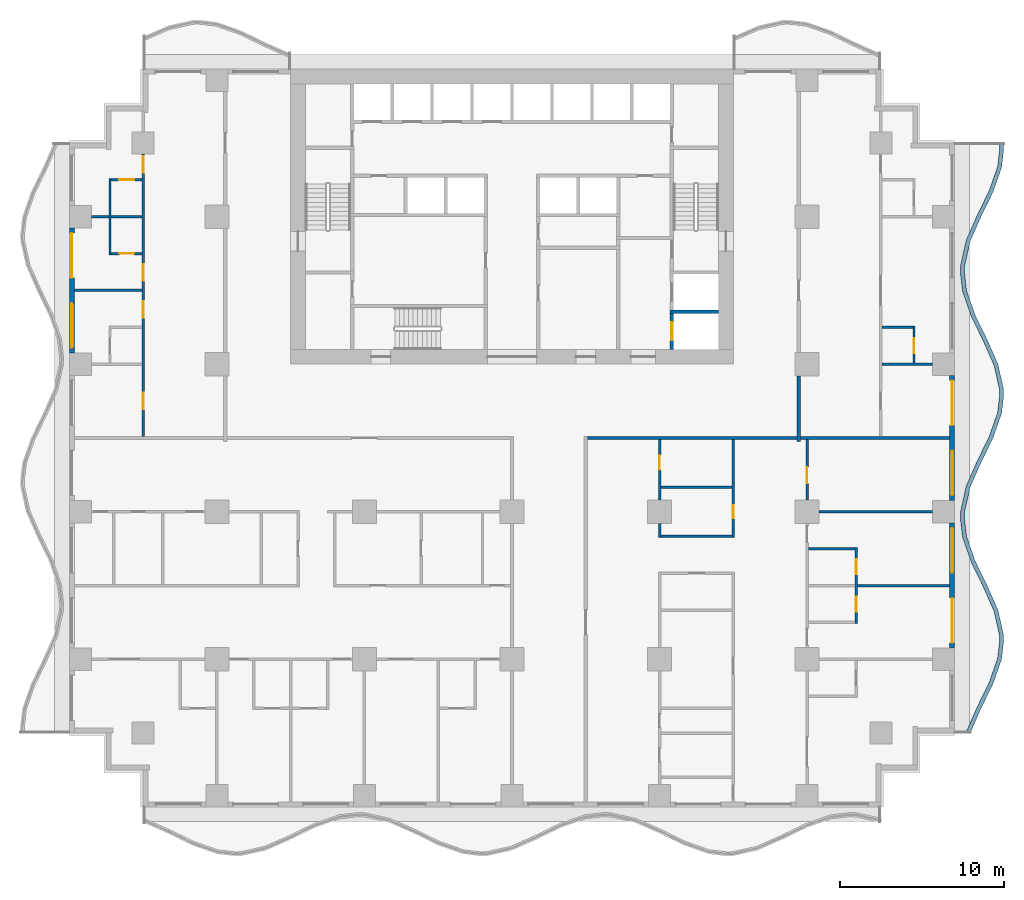
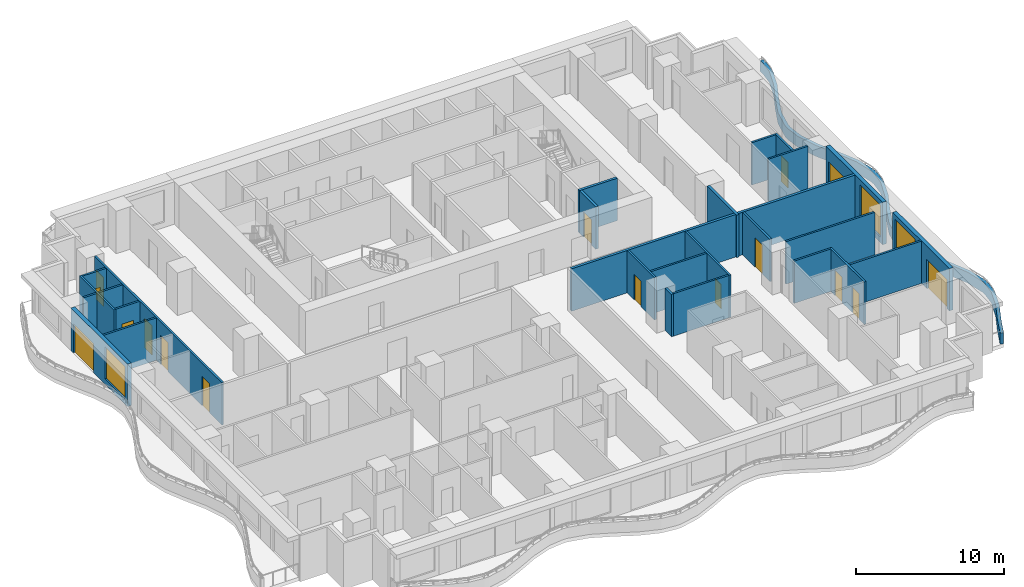
# One storey, part 4 of 14: 29 walls, 16 doors, 3 windows, 19 openings.
"""IFC4 building model written with IfcOpenShell, lengths in metres."""

from ifc_helpers import new_model, si_unit, direction, frame, frame_2d, origin, place, context, subcontext, project, spatial, polyline, rectangle, outline, extrude, material, layer, layer_set, type_object, element, fill, save


model = new_model("IFC4")

# Units and contexts
model_context = context("Model", 3, precision=1e-05, world=origin(), true_north=direction((0.0, 1.0)))
body_context = subcontext(model_context, "Body", "Model", "MODEL_VIEW")
ifc_project = project(units=[si_unit("LENGTHUNIT", "METRE"), si_unit("AREAUNIT", "SQUARE_METRE"), si_unit("VOLUMEUNIT", "CUBIC_METRE"), si_unit("PLANEANGLEUNIT", "RADIAN"), si_unit("MASSUNIT", "GRAM", prefix="KILO")], contexts=[model_context])

# Site, building, storey
site_placement = place(None, origin())
site = spatial("IfcSite", under=ifc_project, at=site_placement, CompositionType="ELEMENT")
building_placement = place(site_placement, origin())
building = spatial("IfcBuilding", under=site, at=building_placement, Name="Orbiselva Terraces", CompositionType="ELEMENT")
storey_placement = place(building_placement, frame((0.0, 0.0, 73.2)))
storey = spatial("IfcBuildingStorey", under=building, at=storey_placement, Name="L18", CompositionType="ELEMENT", Elevation=73.2)

# Wall, opening, door
ifc_material_1 = material(Name="Concrete C60/75", Category="concrete")
ifc_layer_1 = layer(ifc_material_1, 0.2)
ifc_layer_set_1 = layer_set([ifc_layer_1], Name="Concrete C60/75")
wall_type_1 = type_object("IfcWallType", Name="CORE-WALL-SHEAR-200", PredefinedType="SHEAR", material=ifc_layer_set_1)
wall_1_placement = place(storey_placement, frame((9.75, 5.4, 0.0), z_axis=(0.0, 0.0, 1.0), x_axis=(0.0, 1.0, 0.0)))
wall_1 = element("IfcWall", 1, at=wall_1_placement, inside=storey, type_object=wall_type_1, Name="L18 core wall 38", PredefinedType="SHEAR", context=body_context, shape_type="SweptSolid", body=[
    extrude(rectangle(XDim=2.2, YDim=0.2, at=frame_2d((1.1, 0.0))), origin(), (0.0, 0.0, 1.0), 3.5),
])
opening_1_placement = place(wall_1_placement, frame((0.55, 0.0, 0.0)))
opening_1 = element("IfcOpeningElement", 2, at=opening_1_placement, cuts=wall_1, Name="Opening LD-FF1", PredefinedType="OPENING", context=body_context, shape_type="SweptSolid", body=[
    extrude(rectangle(XDim=1.1, YDim=2.1, at=frame_2d((0.55, 1.05))), frame((0.0, 0.11, 0.0), z_axis=(0.0, -1.0, 0.0), x_axis=(1.0, 0.0, 0.0)), (0.0, 0.0, 1.0), 0.22),
])
ifc_material_2 = material(Name="Stainless steel landing door", Category="steel")
door_type_1 = type_object("IfcDoorType", Name="LANDING DOOR 1100", OperationType="SLIDING_TO_LEFT", PredefinedType="DOOR", material=ifc_material_2)
door_1_placement = place(opening_1_placement, origin())
door_1 = element("IfcDoor", 3, at=door_1_placement, inside=storey, type_object=door_type_1, Name="L18 landing door FF1", OperationType="SLIDING_TO_RIGHT", OverallHeight=2.1, OverallWidth=1.1, PredefinedType="DOOR", context=body_context, shape_type="SweptSolid", body=[
    extrude(rectangle(XDim=1.1, YDim=2.1, at=frame_2d((0.55, 1.05))), frame((0.0, 0.025, 0.0), z_axis=(0.0, -1.0, 0.0), x_axis=(1.0, 0.0, 0.0)), (0.0, 0.0, 1.0), 0.05),
])
fill(opening_1, door_1)

# Walls
wall_2_placement = place(storey_placement, frame((9.65, 7.7, 0.0), z_axis=(0.0, 0.0, 1.0), x_axis=(1.0, 0.0, 0.0)))
element("IfcWall", 4, at=wall_2_placement, inside=storey, type_object=wall_type_1, Name="L18 core wall 39", PredefinedType="SHEAR", context=body_context, shape_type="SweptSolid", body=[
    extrude(rectangle(XDim=2.95, YDim=0.2, at=frame_2d((1.475, 0.0))), origin(), (0.0, 0.0, 1.0), 3.5),
])
ifc_material_3 = material(Name="Concrete C40/50", Category="concrete")
ifc_layer_2 = layer(ifc_material_3, 0.25)
ifc_layer_set_2 = layer_set([ifc_layer_2], Name="Concrete C40/50")
wall_type_2 = type_object("IfcWallType", Name="ENV-PLANTER-250x900", PredefinedType="USERDEFINED", material=ifc_layer_set_2)
wall_3_placement = place(storey_placement, origin())
element("IfcWall", 5, at=wall_3_placement, inside=storey, type_object=wall_type_2, Name="Balcony planter L18 E", ObjectType="PLANTER", PredefinedType="USERDEFINED", context=body_context, shape_type="SweptSolid", body=[
    extrude(outline(polyline([(27.951472, -18.0), (28.612279, -16.5), (29.344789, -15.0), (29.869208, -13.5), (30.0, -12.375), (29.985226, -12.0), (29.648528, -10.5), (28.987721, -9.0), (28.255211, -7.5), (27.730792, -6.0), (27.6, -4.875), (27.614774, -4.5), (27.951472, -3.0), (28.612279, -1.5), (29.344789, 0.0), (29.869208, 1.5), (30.0, 2.625), (29.985226, 3.0), (29.648528, 4.5), (28.987721, 6.0), (28.255211, 7.5), (27.730792, 9.0), (27.6, 10.125), (27.614774, 10.5), (27.951472, 12.0), (28.612279, 13.5), (29.344789, 15.0), (29.869208, 16.5), (30.0, 17.625), (29.985226, 18.0), (29.73542, 17.990158), (29.749429, 17.634572), (29.624078, 16.556371), (29.113667, 15.09644), (28.385477, 13.605286), (27.712874, 12.078508), (27.365863, 10.532565), (27.349429, 10.115428), (27.485662, 8.943629), (28.024089, 7.40356), (28.760919, 5.894714), (29.40993, 4.421492), (29.736315, 2.967435), (29.749429, 2.634572), (29.624078, 1.556371), (29.113667, 0.09644), (28.385477, -1.394714), (27.712874, -2.921492), (27.365863, -4.467435), (27.349429, -4.884572), (27.485662, -6.056371), (28.024089, -7.59644), (28.760919, -9.105286), (29.40993, -10.578508), (29.736315, -12.032565), (29.749429, -12.365428), (29.624078, -13.443629), (29.113667, -14.90356), (28.385477, -16.394714), (27.722689, -17.899212), (27.951472, -18.0)])), origin(), (0.0, 0.0, 1.0), 0.9),
])

# Wall, openings, door, window
ifc_material_4 = material(Name="Terracotta cladding on masonry backing", Category="masonry")
ifc_layer_3 = layer(ifc_material_4, 0.3)
ifc_layer_set_3 = layer_set([ifc_layer_3], Name="Terracotta cladding on masonry backing")
wall_type_3 = type_object("IfcWallType", Name="ENV-WALL-TERRACOTTA-300", PredefinedType="SOLIDWALL", material=ifc_layer_set_3)
wall_4_placement = place(storey_placement, frame((26.85, -5.175, 0.0), z_axis=(0.0, 0.0, 1.0), x_axis=(0.0, -1.0, 0.0)))
wall_4 = element("IfcWall", 6, at=wall_4_placement, inside=storey, type_object=wall_type_3, Name="Facade wall L18 E", PredefinedType="SOLIDWALL", context=body_context, shape_type="SweptSolid", body=[
    extrude(rectangle(XDim=7.65, YDim=0.3, at=frame_2d((3.825, 0.0))), origin(), (0.0, 0.0, 1.0), 3.5),
])
opening_2_placement = place(wall_4_placement, frame((4.6, 0.0, 0.0)))
opening_2 = element("IfcOpeningElement", 7, at=opening_2_placement, cuts=wall_4, Name="Opening Z2-A-E05", PredefinedType="OPENING", context=body_context, shape_type="SweptSolid", body=[
    extrude(rectangle(XDim=2.725, YDim=2.4, at=frame_2d((1.3625, 1.2))), frame((0.0, 0.16, 0.0), z_axis=(0.0, -1.0, 0.0), x_axis=(1.0, 0.0, 0.0)), (0.0, 0.0, 1.0), 0.32),
])
opening_3_placement = place(wall_4_placement, frame((0.325, 0.0, 0.45)))
opening_3 = element("IfcOpeningElement", 8, at=opening_3_placement, cuts=wall_4, Name="Opening WN5", PredefinedType="OPENING", context=body_context, shape_type="SweptSolid", body=[
    extrude(rectangle(XDim=2.725, YDim=2.65, at=frame_2d((1.3625, 1.325))), frame((0.0, 0.16, 0.0), z_axis=(0.0, -1.0, 0.0), x_axis=(1.0, 0.0, 0.0)), (0.0, 0.0, 1.0), 0.32),
])
ifc_material_5 = material(Name="Clear low-e glazing in aluminium frame", Category="aluminium")
door_type_2 = type_object("IfcDoorType", Name="BALCONY DOOR 2725 X 2400", OperationType="DOUBLE_DOOR_SLIDING", PredefinedType="DOOR", material=ifc_material_5)
door_2_placement = place(opening_2_placement, origin())
door_2 = element("IfcDoor", 9, at=door_2_placement, inside=storey, type_object=door_type_2, Name="Z2-A-E05", OperationType="SINGLE_SWING_LEFT", OverallHeight=2.4, OverallWidth=2.725, PredefinedType="DOOR", context=body_context, shape_type="SweptSolid", body=[
    extrude(rectangle(XDim=2.725, YDim=2.4, at=frame_2d((1.3625, 1.2))), frame((0.0, 0.025, 0.0), z_axis=(0.0, -1.0, 0.0), x_axis=(1.0, 0.0, 0.0)), (0.0, 0.0, 1.0), 0.05),
])
fill(opening_2, door_2)
window_type = type_object("IfcWindowType", Name="WINDOW 2725 X 2650 S450", PartitioningType="TRIPLE_PANEL_VERTICAL", PredefinedType="WINDOW", material=ifc_material_5)
window_1_placement = place(opening_3_placement, origin())
window_1 = element("IfcWindow", 10, at=window_1_placement, inside=storey, type_object=window_type, Name="Window L18 E", OverallHeight=2.65, OverallWidth=2.725, PartitioningType="SINGLE_PANEL", PredefinedType="WINDOW", context=body_context, shape_type="SweptSolid", body=[
    extrude(rectangle(XDim=2.725, YDim=2.65, at=frame_2d((1.3625, 1.325))), frame((0.0, 0.03, 0.0), z_axis=(0.0, -1.0, 0.0), x_axis=(1.0, 0.0, 0.0)), (0.0, 0.0, 1.0), 0.06),
])
fill(opening_3, window_1)

wall_5_placement = place(storey_placement, frame((26.85, 3.825, 0.0), z_axis=(0.0, 0.0, 1.0), x_axis=(0.0, -1.0, 0.0)))
wall_5 = element("IfcWall", 11, at=wall_5_placement, inside=storey, type_object=wall_type_3, Name="Facade wall L18 E", PredefinedType="SOLIDWALL", context=body_context, shape_type="SweptSolid", body=[
    extrude(rectangle(XDim=7.65, YDim=0.3, at=frame_2d((3.825, 0.0))), origin(), (0.0, 0.0, 1.0), 3.5),
])
opening_4_placement = place(wall_5_placement, frame((4.6, 0.0, 0.45)))
opening_4 = element("IfcOpeningElement", 12, at=opening_4_placement, cuts=wall_5, Name="Opening WN5", PredefinedType="OPENING", context=body_context, shape_type="SweptSolid", body=[
    extrude(rectangle(XDim=2.725, YDim=2.65, at=frame_2d((1.3625, 1.325))), frame((0.0, 0.16, 0.0), z_axis=(0.0, -1.0, 0.0), x_axis=(1.0, 0.0, 0.0)), (0.0, 0.0, 1.0), 0.32),
])
opening_5_placement = place(wall_5_placement, frame((0.325, 0.0, 0.0)))
opening_5 = element("IfcOpeningElement", 13, at=opening_5_placement, cuts=wall_5, Name="Opening Z2-A-E06", PredefinedType="OPENING", context=body_context, shape_type="SweptSolid", body=[
    extrude(rectangle(XDim=2.725, YDim=2.4, at=frame_2d((1.3625, 1.2))), frame((0.0, 0.16, 0.0), z_axis=(0.0, -1.0, 0.0), x_axis=(1.0, 0.0, 0.0)), (0.0, 0.0, 1.0), 0.32),
])
door_3_placement = place(opening_5_placement, origin())
door_3 = element("IfcDoor", 14, at=door_3_placement, inside=storey, type_object=door_type_2, Name="Z2-A-E06", OperationType="SINGLE_SWING_LEFT", OverallHeight=2.4, OverallWidth=2.725, PredefinedType="DOOR", context=body_context, shape_type="SweptSolid", body=[
    extrude(rectangle(XDim=2.725, YDim=2.4, at=frame_2d((1.3625, 1.2))), frame((0.0, 0.025, 0.0), z_axis=(0.0, -1.0, 0.0), x_axis=(1.0, 0.0, 0.0)), (0.0, 0.0, 1.0), 0.05),
])
fill(opening_5, door_3)
window_2_placement = place(opening_4_placement, origin())
window_2 = element("IfcWindow", 15, at=window_2_placement, inside=storey, type_object=window_type, Name="Window L18 E", OverallHeight=2.65, OverallWidth=2.725, PartitioningType="SINGLE_PANEL", PredefinedType="WINDOW", context=body_context, shape_type="SweptSolid", body=[
    extrude(rectangle(XDim=2.725, YDim=2.65, at=frame_2d((1.3625, 1.325))), frame((0.0, 0.03, 0.0), z_axis=(0.0, -1.0, 0.0), x_axis=(1.0, 0.0, 0.0)), (0.0, 0.0, 1.0), 0.06),
])
fill(opening_4, window_2)

wall_6_placement = place(storey_placement, frame((-26.85, 5.175, 0.0), z_axis=(0.0, 0.0, 1.0), x_axis=(0.0, 1.0, 0.0)))
wall_6 = element("IfcWall", 16, at=wall_6_placement, inside=storey, type_object=wall_type_3, Name="Facade wall L18 W", PredefinedType="SOLIDWALL", context=body_context, shape_type="SweptSolid", body=[
    extrude(rectangle(XDim=7.65, YDim=0.3, at=frame_2d((3.825, 0.0))), origin(), (0.0, 0.0, 1.0), 3.5),
])
opening_6_placement = place(wall_6_placement, frame((4.6, 0.0, 0.0)))
opening_6 = element("IfcOpeningElement", 17, at=opening_6_placement, cuts=wall_6, Name="Opening Z2-A-E10", PredefinedType="OPENING", context=body_context, shape_type="SweptSolid", body=[
    extrude(rectangle(XDim=2.725, YDim=2.4, at=frame_2d((1.3625, 1.2))), frame((0.0, 0.16, 0.0), z_axis=(0.0, -1.0, 0.0), x_axis=(1.0, 0.0, 0.0)), (0.0, 0.0, 1.0), 0.32),
])
opening_7_placement = place(wall_6_placement, frame((0.325, 0.0, 0.45)))
opening_7 = element("IfcOpeningElement", 18, at=opening_7_placement, cuts=wall_6, Name="Opening WN5", PredefinedType="OPENING", context=body_context, shape_type="SweptSolid", body=[
    extrude(rectangle(XDim=2.725, YDim=2.65, at=frame_2d((1.3625, 1.325))), frame((0.0, 0.16, 0.0), z_axis=(0.0, -1.0, 0.0), x_axis=(1.0, 0.0, 0.0)), (0.0, 0.0, 1.0), 0.32),
])
door_4_placement = place(opening_6_placement, origin())
door_4 = element("IfcDoor", 19, at=door_4_placement, inside=storey, type_object=door_type_2, Name="Z2-A-E10", OperationType="SINGLE_SWING_LEFT", OverallHeight=2.4, OverallWidth=2.725, PredefinedType="DOOR", context=body_context, shape_type="SweptSolid", body=[
    extrude(rectangle(XDim=2.725, YDim=2.4, at=frame_2d((1.3625, 1.2))), frame((0.0, 0.025, 0.0), z_axis=(0.0, -1.0, 0.0), x_axis=(1.0, 0.0, 0.0)), (0.0, 0.0, 1.0), 0.05),
])
fill(opening_6, door_4)
window_3_placement = place(opening_7_placement, origin())
window_3 = element("IfcWindow", 20, at=window_3_placement, inside=storey, type_object=window_type, Name="Window L18 W", OverallHeight=2.65, OverallWidth=2.725, PartitioningType="SINGLE_PANEL", PredefinedType="WINDOW", context=body_context, shape_type="SweptSolid", body=[
    extrude(rectangle(XDim=2.725, YDim=2.65, at=frame_2d((1.3625, 1.325))), frame((0.0, 0.03, 0.0), z_axis=(0.0, -1.0, 0.0), x_axis=(1.0, 0.0, 0.0)), (0.0, 0.0, 1.0), 0.06),
])
fill(opening_7, window_3)

# Walls
ifc_material_6 = material(Name="Plasterboard on steel stud partition", Category="steel")
ifc_layer_4 = layer(ifc_material_6, 0.2)
ifc_layer_set_4 = layer_set([ifc_layer_4], Name="Plasterboard on steel stud partition")
wall_type_4 = type_object("IfcWallType", Name="UNIT-ENTRANCE-WALL-200", PredefinedType="PARTITIONING", material=ifc_layer_set_4)
wall_7_placement = place(storey_placement, frame((4.6, 0.0, 0.0), z_axis=(0.0, 0.0, 1.0), x_axis=(1.0, 0.0, 0.0)))
element("IfcWall", 21, at=wall_7_placement, inside=storey, type_object=wall_type_4, Name="PARTITION L18-029", PredefinedType="PARTITIONING", context=body_context, shape_type="SweptSolid", body=[
    extrude(rectangle(XDim=12.8, YDim=0.2, at=frame_2d((6.4, 0.0))), origin(), (0.0, 0.0, 1.0), 3.5),
])
wall_8_placement = place(storey_placement, frame((17.5, -0.2, 0.0), z_axis=(0.0, 0.0, 1.0), x_axis=(0.0, 1.0, 0.0)))
element("IfcWall", 22, at=wall_8_placement, inside=storey, type_object=wall_type_4, Name="PARTITION L18-075", PredefinedType="PARTITIONING", context=body_context, shape_type="SweptSolid", body=[
    extrude(rectangle(XDim=3.975, YDim=0.2, at=frame_2d((1.9875, 0.0))), origin(), (0.0, 0.0, 1.0), 3.5),
])
ifc_layer_5 = layer(ifc_material_6, 0.15)
ifc_layer_set_5 = layer_set([ifc_layer_5], Name="Plasterboard on steel stud partition")
wall_type_5 = type_object("IfcWallType", Name="UNIT-PARTITION-150", PredefinedType="PARTITIONING", material=ifc_layer_set_5)
wall_9_placement = place(storey_placement, frame((21.075, -9.0, 0.0), z_axis=(0.0, 0.0, 1.0), x_axis=(1.0, 0.0, 0.0)))
element("IfcWall", 23, at=wall_9_placement, inside=storey, type_object=wall_type_5, Name="PARTITION L18-018", PredefinedType="PARTITIONING", context=body_context, shape_type="SweptSolid", body=[
    extrude(rectangle(XDim=5.625, YDim=0.15, at=frame_2d((2.8125, 0.0))), origin(), (0.0, 0.0, 1.0), 3.5),
])
wall_10_placement = place(storey_placement, frame((18.075, -6.75, 0.0), z_axis=(0.0, 0.0, 1.0), x_axis=(1.0, 0.0, 0.0)))
element("IfcWall", 24, at=wall_10_placement, inside=storey, type_object=wall_type_5, Name="PARTITION L18-020", PredefinedType="PARTITIONING", context=body_context, shape_type="SweptSolid", body=[
    extrude(rectangle(XDim=2.85, YDim=0.15, at=frame_2d((1.425, 0.0))), origin(), (0.0, 0.0, 1.0), 3.5),
])
wall_11_placement = place(storey_placement, frame((9.075, -6.0, 0.0), z_axis=(0.0, 0.0, 1.0), x_axis=(1.0, 0.0, 0.0)))
element("IfcWall", 25, at=wall_11_placement, inside=storey, type_object=wall_type_5, Name="PARTITION L18-021", PredefinedType="PARTITIONING", context=body_context, shape_type="SweptSolid", body=[
    extrude(rectangle(XDim=4.35, YDim=0.15, at=frame_2d((2.175, 0.0))), origin(), (0.0, 0.0, 1.0), 3.5),
])
wall_12_placement = place(storey_placement, frame((18.725, -4.5, 0.0), z_axis=(0.0, 0.0, 1.0), x_axis=(1.0, 0.0, 0.0)))
element("IfcWall", 26, at=wall_12_placement, inside=storey, type_object=wall_type_5, Name="PARTITION L18-026", PredefinedType="PARTITIONING", context=body_context, shape_type="SweptSolid", body=[
    extrude(rectangle(XDim=6.925, YDim=0.15, at=frame_2d((3.4625, 0.0))), origin(), (0.0, 0.0, 1.0), 3.5),
])
wall_13_placement = place(storey_placement, frame((9.075, -3.0, 0.0), z_axis=(0.0, 0.0, 1.0), x_axis=(1.0, 0.0, 0.0)))
element("IfcWall", 27, at=wall_13_placement, inside=storey, type_object=wall_type_5, Name="PARTITION L18-027", PredefinedType="PARTITIONING", context=body_context, shape_type="SweptSolid", body=[
    extrude(rectangle(XDim=4.35, YDim=0.15, at=frame_2d((2.175, 0.0))), origin(), (0.0, 0.0, 1.0), 3.5),
])
wall_14_placement = place(storey_placement, frame((22.575, 4.5, 0.0), z_axis=(0.0, 0.0, 1.0), x_axis=(1.0, 0.0, 0.0)))
element("IfcWall", 28, at=wall_14_placement, inside=storey, type_object=wall_type_5, Name="PARTITION L18-033", PredefinedType="PARTITIONING", context=body_context, shape_type="SweptSolid", body=[
    extrude(rectangle(XDim=3.075, YDim=0.15, at=frame_2d((1.5375, 0.0))), origin(), (0.0, 0.0, 1.0), 3.5),
])
wall_15_placement = place(storey_placement, frame((22.575, 6.75, 0.0), z_axis=(0.0, 0.0, 1.0), x_axis=(1.0, 0.0, 0.0)))
element("IfcWall", 29, at=wall_15_placement, inside=storey, type_object=wall_type_5, Name="PARTITION L18-035", PredefinedType="PARTITIONING", context=body_context, shape_type="SweptSolid", body=[
    extrude(rectangle(XDim=1.875, YDim=0.15, at=frame_2d((0.9375, 0.0))), origin(), (0.0, 0.0, 1.0), 3.5),
])
wall_16_placement = place(storey_placement, frame((-26.7, 9.0, 0.0), z_axis=(0.0, 0.0, 1.0), x_axis=(1.0, 0.0, 0.0)))
element("IfcWall", 30, at=wall_16_placement, inside=storey, type_object=wall_type_5, Name="PARTITION L18-036", PredefinedType="PARTITIONING", context=body_context, shape_type="SweptSolid", body=[
    extrude(rectangle(XDim=4.125, YDim=0.15, at=frame_2d((2.0625, 0.0))), origin(), (0.0, 0.0, 1.0), 3.5),
])

# Wall, opening, door
wall_17_placement = place(storey_placement, frame((-24.45, 11.25, 0.0), z_axis=(0.0, 0.0, 1.0), x_axis=(1.0, 0.0, 0.0)))
wall_17 = element("IfcWall", 31, at=wall_17_placement, inside=storey, type_object=wall_type_5, Name="PARTITION L18-037", PredefinedType="PARTITIONING", context=body_context, shape_type="SweptSolid", body=[
    extrude(rectangle(XDim=1.875, YDim=0.15, at=frame_2d((0.9375, 0.0))), origin(), (0.0, 0.0, 1.0), 3.5),
])
opening_8_placement = place(wall_17_placement, frame((0.5, 0.0, 0.0)))
opening_8 = element("IfcOpeningElement", 32, at=opening_8_placement, cuts=wall_17, Name="Opening Z2-A-06", PredefinedType="OPENING", context=body_context, shape_type="SweptSolid", body=[
    extrude(rectangle(XDim=0.9, YDim=2.1, at=frame_2d((0.45, 1.05))), frame((0.0, 0.085, 0.0), z_axis=(0.0, -1.0, 0.0), x_axis=(1.0, 0.0, 0.0)), (0.0, 0.0, 1.0), 0.17),
])
ifc_material_7 = material(Name="Painted timber door leaf", Category="wood")
door_type_3 = type_object("IfcDoorType", Name="BATH DOOR 900", OperationType="NOTDEFINED", PredefinedType="DOOR", material=ifc_material_7)
door_5_placement = place(opening_8_placement, origin())
door_5 = element("IfcDoor", 33, at=door_5_placement, inside=storey, type_object=door_type_3, Name="Z2-A-06", OperationType="SINGLE_SWING_RIGHT", OverallHeight=2.1, OverallWidth=0.9, PredefinedType="DOOR", context=body_context, shape_type="SweptSolid", body=[
    extrude(rectangle(XDim=0.9, YDim=2.1, at=frame_2d((0.45, 1.05))), frame((0.0, 0.025, 0.0), z_axis=(0.0, -1.0, 0.0), x_axis=(1.0, 0.0, 0.0)), (0.0, 0.0, 1.0), 0.05),
])
fill(opening_8, door_5)

# Walls
wall_18_placement = place(storey_placement, frame((-25.65, 13.5, 0.0), z_axis=(0.0, 0.0, 1.0), x_axis=(1.0, 0.0, 0.0)))
element("IfcWall", 34, at=wall_18_placement, inside=storey, type_object=wall_type_5, Name="PARTITION L18-038", PredefinedType="PARTITIONING", context=body_context, shape_type="SweptSolid", body=[
    extrude(rectangle(XDim=1.05, YDim=0.15, at=frame_2d((0.525, 0.0))), origin(), (0.0, 0.0, 1.0), 3.5),
])
wall_19_placement = place(storey_placement, frame((-24.45, 13.5, 0.0), z_axis=(0.0, 0.0, 1.0), x_axis=(1.0, 0.0, 0.0)))
element("IfcWall", 35, at=wall_19_placement, inside=storey, type_object=wall_type_5, Name="PARTITION L18-039", PredefinedType="PARTITIONING", context=body_context, shape_type="SweptSolid", body=[
    extrude(rectangle(XDim=1.875, YDim=0.15, at=frame_2d((0.9375, 0.0))), origin(), (0.0, 0.0, 1.0), 3.5),
])

# Wall, opening, door
wall_20_placement = place(storey_placement, frame((-22.575, 15.75, 0.0), z_axis=(0.0, 0.0, 1.0), x_axis=(-1.0, 0.0, 0.0)))
wall_20 = element("IfcWall", 36, at=wall_20_placement, inside=storey, type_object=wall_type_5, Name="PARTITION L18-041", PredefinedType="PARTITIONING", context=body_context, shape_type="SweptSolid", body=[
    extrude(rectangle(XDim=1.875, YDim=0.15, at=frame_2d((0.9375, 0.0))), origin(), (0.0, 0.0, 1.0), 3.5),
])
opening_9_placement = place(wall_20_placement, frame((0.475, 0.0, 0.0)))
opening_9 = element("IfcOpeningElement", 37, at=opening_9_placement, cuts=wall_20, Name="Opening Z2-A-08", PredefinedType="OPENING", context=body_context, shape_type="SweptSolid", body=[
    extrude(rectangle(XDim=0.9, YDim=2.1, at=frame_2d((0.45, 1.05))), frame((0.0, 0.085, 0.0), z_axis=(0.0, -1.0, 0.0), x_axis=(1.0, 0.0, 0.0)), (0.0, 0.0, 1.0), 0.17),
])
door_6_placement = place(opening_9_placement, origin())
door_6 = element("IfcDoor", 38, at=door_6_placement, inside=storey, type_object=door_type_3, Name="Z2-A-08", OperationType="SINGLE_SWING_LEFT", OverallHeight=2.1, OverallWidth=0.9, PredefinedType="DOOR", context=body_context, shape_type="SweptSolid", body=[
    extrude(rectangle(XDim=0.9, YDim=2.1, at=frame_2d((0.45, 1.05))), frame((0.0, 0.025, 0.0), z_axis=(0.0, -1.0, 0.0), x_axis=(1.0, 0.0, 0.0)), (0.0, 0.0, 1.0), 0.05),
])
fill(opening_9, door_6)

# Wall
wall_21_placement = place(storey_placement, frame((-24.525, 11.175, 0.0), z_axis=(0.0, 0.0, 1.0), x_axis=(0.0, 1.0, 0.0)))
element("IfcWall", 39, at=wall_21_placement, inside=storey, type_object=wall_type_5, Name="PARTITION L18-044", PredefinedType="PARTITIONING", context=body_context, shape_type="SweptSolid", body=[
    extrude(rectangle(XDim=4.65, YDim=0.15, at=frame_2d((2.325, 0.0))), origin(), (0.0, 0.0, 1.0), 3.5),
])

# Wall, openings, doors
wall_22_placement = place(storey_placement, frame((-22.5, 0.1, 0.0), z_axis=(0.0, 0.0, 1.0), x_axis=(0.0, 1.0, 0.0)))
wall_22 = element("IfcWall", 40, at=wall_22_placement, inside=storey, type_object=wall_type_5, Name="PARTITION L18-046", PredefinedType="PARTITIONING", context=body_context, shape_type="SweptSolid", body=[
    extrude(rectangle(XDim=17.225, YDim=0.15, at=frame_2d((8.6125, 0.0))), origin(), (0.0, 0.0, 1.0), 3.5),
])
opening_10_placement = place(wall_22_placement, frame((1.65, 0.0, 0.0)))
opening_10 = element("IfcOpeningElement", 41, at=opening_10_placement, cuts=wall_22, Name="Opening Z2-A-02", PredefinedType="OPENING", context=body_context, shape_type="SweptSolid", body=[
    extrude(rectangle(XDim=1.0, YDim=2.4, at=frame_2d((0.5, 1.2))), frame((0.0, 0.085, 0.0), z_axis=(0.0, -1.0, 0.0), x_axis=(1.0, 0.0, 0.0)), (0.0, 0.0, 1.0), 0.17),
])
opening_11_placement = place(wall_22_placement, frame((7.25, 0.0, 0.0)))
opening_11 = element("IfcOpeningElement", 42, at=opening_11_placement, cuts=wall_22, Name="Opening Z2-A-03", PredefinedType="OPENING", context=body_context, shape_type="SweptSolid", body=[
    extrude(rectangle(XDim=1.0, YDim=2.4, at=frame_2d((0.5, 1.2))), frame((0.0, 0.085, 0.0), z_axis=(0.0, -1.0, 0.0), x_axis=(1.0, 0.0, 0.0)), (0.0, 0.0, 1.0), 0.17),
])
opening_12_placement = place(wall_22_placement, frame((9.5, 0.0, 0.0)))
opening_12 = element("IfcOpeningElement", 43, at=opening_12_placement, cuts=wall_22, Name="Opening Z2-A-05", PredefinedType="OPENING", context=body_context, shape_type="SweptSolid", body=[
    extrude(rectangle(XDim=1.0, YDim=2.4, at=frame_2d((0.5, 1.2))), frame((0.0, 0.085, 0.0), z_axis=(0.0, -1.0, 0.0), x_axis=(1.0, 0.0, 0.0)), (0.0, 0.0, 1.0), 0.17),
])
opening_13_placement = place(wall_22_placement, frame((16.075, 0.0, 0.0)))
opening_13 = element("IfcOpeningElement", 44, at=opening_13_placement, cuts=wall_22, Name="Opening Z2-A-07", PredefinedType="OPENING", context=body_context, shape_type="SweptSolid", body=[
    extrude(rectangle(XDim=1.0, YDim=2.4, at=frame_2d((0.5, 1.2))), frame((0.0, 0.085, 0.0), z_axis=(0.0, -1.0, 0.0), x_axis=(1.0, 0.0, 0.0)), (0.0, 0.0, 1.0), 0.17),
])
door_type_4 = type_object("IfcDoorType", Name="ROOM DOOR 1000", OperationType="NOTDEFINED", PredefinedType="DOOR", material=ifc_material_7)
door_7_placement = place(opening_10_placement, origin())
door_7 = element("IfcDoor", 45, at=door_7_placement, inside=storey, type_object=door_type_4, Name="Z2-A-02", OperationType="SINGLE_SWING_LEFT", OverallHeight=2.4, OverallWidth=1.0, PredefinedType="DOOR", context=body_context, shape_type="SweptSolid", body=[
    extrude(rectangle(XDim=1.0, YDim=2.4, at=frame_2d((0.5, 1.2))), frame((0.0, 0.025, 0.0), z_axis=(0.0, -1.0, 0.0), x_axis=(1.0, 0.0, 0.0)), (0.0, 0.0, 1.0), 0.05),
])
fill(opening_10, door_7)
door_8_placement = place(opening_11_placement, origin())
door_8 = element("IfcDoor", 46, at=door_8_placement, inside=storey, type_object=door_type_4, Name="Z2-A-03", OperationType="SINGLE_SWING_LEFT", OverallHeight=2.4, OverallWidth=1.0, PredefinedType="DOOR", context=body_context, shape_type="SweptSolid", body=[
    extrude(rectangle(XDim=1.0, YDim=2.4, at=frame_2d((0.5, 1.2))), frame((0.0, 0.025, 0.0), z_axis=(0.0, -1.0, 0.0), x_axis=(1.0, 0.0, 0.0)), (0.0, 0.0, 1.0), 0.05),
])
fill(opening_11, door_8)
door_9_placement = place(opening_12_placement, origin())
door_9 = element("IfcDoor", 47, at=door_9_placement, inside=storey, type_object=door_type_4, Name="Z2-A-05", OperationType="SINGLE_SWING_RIGHT", OverallHeight=2.4, OverallWidth=1.0, PredefinedType="DOOR", context=body_context, shape_type="SweptSolid", body=[
    extrude(rectangle(XDim=1.0, YDim=2.4, at=frame_2d((0.5, 1.2))), frame((0.0, 0.025, 0.0), z_axis=(0.0, -1.0, 0.0), x_axis=(1.0, 0.0, 0.0)), (0.0, 0.0, 1.0), 0.05),
])
fill(opening_12, door_9)
door_10_placement = place(opening_13_placement, origin())
door_10 = element("IfcDoor", 48, at=door_10_placement, inside=storey, type_object=door_type_4, Name="Z2-A-07", OperationType="SINGLE_SWING_RIGHT", OverallHeight=2.4, OverallWidth=1.0, PredefinedType="DOOR", context=body_context, shape_type="SweptSolid", body=[
    extrude(rectangle(XDim=1.0, YDim=2.4, at=frame_2d((0.5, 1.2))), frame((0.0, 0.025, 0.0), z_axis=(0.0, -1.0, 0.0), x_axis=(1.0, 0.0, 0.0)), (0.0, 0.0, 1.0), 0.05),
])
fill(opening_13, door_10)

# Wall
wall_23_placement = place(storey_placement, frame((9.0, -6.075, 0.0), z_axis=(0.0, 0.0, 1.0), x_axis=(0.0, 1.0, 0.0)))
element("IfcWall", 49, at=wall_23_placement, inside=storey, type_object=wall_type_5, Name="PARTITION L18-071", PredefinedType="PARTITIONING", context=body_context, shape_type="SweptSolid", body=[
    extrude(rectangle(XDim=0.85, YDim=0.15, at=frame_2d((0.425, 0.0))), origin(), (0.0, 0.0, 1.0), 3.5),
])

# Wall, opening, door
wall_24_placement = place(storey_placement, frame((9.0, -0.1, 0.0), z_axis=(0.0, 0.0, 1.0), x_axis=(0.0, -1.0, 0.0)))
wall_24 = element("IfcWall", 50, at=wall_24_placement, inside=storey, type_object=wall_type_5, Name="PARTITION L18-072", PredefinedType="PARTITIONING", context=body_context, shape_type="SweptSolid", body=[
    extrude(rectangle(XDim=3.675, YDim=0.15, at=frame_2d((1.8375, 0.0))), origin(), (0.0, 0.0, 1.0), 3.5),
])
opening_14_placement = place(wall_24_placement, frame((0.95, 0.0, 0.0)))
opening_14 = element("IfcOpeningElement", 51, at=opening_14_placement, cuts=wall_24, Name="Opening Z2-A-39", PredefinedType="OPENING", context=body_context, shape_type="SweptSolid", body=[
    extrude(rectangle(XDim=0.9, YDim=2.1, at=frame_2d((0.45, 1.05))), frame((0.0, 0.085, 0.0), z_axis=(0.0, -1.0, 0.0), x_axis=(1.0, 0.0, 0.0)), (0.0, 0.0, 1.0), 0.17),
])
door_type_5 = type_object("IfcDoorType", Name="SERVICE DOOR 900", OperationType="NOTDEFINED", PredefinedType="DOOR", material=ifc_material_7)
door_11_placement = place(opening_14_placement, origin())
door_11 = element("IfcDoor", 52, at=door_11_placement, inside=storey, type_object=door_type_5, Name="Z2-A-39", OperationType="SINGLE_SWING_LEFT", OverallHeight=2.1, OverallWidth=0.9, PredefinedType="DOOR", context=body_context, shape_type="SweptSolid", body=[
    extrude(rectangle(XDim=0.9, YDim=2.1, at=frame_2d((0.45, 1.05))), frame((0.0, 0.025, 0.0), z_axis=(0.0, -1.0, 0.0), x_axis=(1.0, 0.0, 0.0)), (0.0, 0.0, 1.0), 0.05),
])
fill(opening_14, door_11)

wall_25_placement = place(storey_placement, frame((13.5, -6.075, 0.0), z_axis=(0.0, 0.0, 1.0), x_axis=(0.0, 1.0, 0.0)))
wall_25 = element("IfcWall", 53, at=wall_25_placement, inside=storey, type_object=wall_type_5, Name="PARTITION L18-074", PredefinedType="PARTITIONING", context=body_context, shape_type="SweptSolid", body=[
    extrude(rectangle(XDim=5.975, YDim=0.15, at=frame_2d((2.9875, 0.0))), origin(), (0.0, 0.0, 1.0), 3.5),
])
opening_15_placement = place(wall_25_placement, frame((1.175, 0.0, 0.0)))
opening_15 = element("IfcOpeningElement", 54, at=opening_15_placement, cuts=wall_25, Name="Opening Z2-A-38", PredefinedType="OPENING", context=body_context, shape_type="SweptSolid", body=[
    extrude(rectangle(XDim=0.8, YDim=2.0, at=frame_2d((0.4, 1.0))), frame((0.0, 0.085, 0.0), z_axis=(0.0, -1.0, 0.0), x_axis=(1.0, 0.0, 0.0)), (0.0, 0.0, 1.0), 0.17),
])
door_type_6 = type_object("IfcDoorType", Name="STORE DOOR 800", OperationType="NOTDEFINED", PredefinedType="DOOR", material=ifc_material_7)
door_12_placement = place(opening_15_placement, origin())
door_12 = element("IfcDoor", 55, at=door_12_placement, inside=storey, type_object=door_type_6, Name="Z2-A-38", OperationType="SINGLE_SWING_LEFT", OverallHeight=2.0, OverallWidth=0.8, PredefinedType="DOOR", context=body_context, shape_type="SweptSolid", body=[
    extrude(rectangle(XDim=0.8, YDim=2.0, at=frame_2d((0.4, 1.0))), frame((0.0, 0.025, 0.0), z_axis=(0.0, -1.0, 0.0), x_axis=(1.0, 0.0, 0.0)), (0.0, 0.0, 1.0), 0.05),
])
fill(opening_15, door_12)

wall_26_placement = place(storey_placement, frame((18.0, -0.1, 0.0), z_axis=(0.0, 0.0, 1.0), x_axis=(0.0, -1.0, 0.0)))
wall_26 = element("IfcWall", 56, at=wall_26_placement, inside=storey, type_object=wall_type_5, Name="PARTITION L18-080", PredefinedType="PARTITIONING", context=body_context, shape_type="SweptSolid", body=[
    extrude(rectangle(XDim=3.675, YDim=0.15, at=frame_2d((1.8375, 0.0))), origin(), (0.0, 0.0, 1.0), 3.5),
])
opening_16_placement = place(wall_26_placement, frame((1.675, 0.0, 0.0)))
opening_16 = element("IfcOpeningElement", 57, at=opening_16_placement, cuts=wall_26, Name="Opening Z2-A-46", PredefinedType="OPENING", context=body_context, shape_type="SweptSolid", body=[
    extrude(rectangle(XDim=1.0, YDim=2.4, at=frame_2d((0.5, 1.2))), frame((0.0, 0.085, 0.0), z_axis=(0.0, -1.0, 0.0), x_axis=(1.0, 0.0, 0.0)), (0.0, 0.0, 1.0), 0.17),
])
door_13_placement = place(opening_16_placement, origin())
door_13 = element("IfcDoor", 58, at=door_13_placement, inside=storey, type_object=door_type_4, Name="Z2-A-46", OperationType="SINGLE_SWING_RIGHT", OverallHeight=2.4, OverallWidth=1.0, PredefinedType="DOOR", context=body_context, shape_type="SweptSolid", body=[
    extrude(rectangle(XDim=1.0, YDim=2.4, at=frame_2d((0.5, 1.2))), frame((0.0, 0.025, 0.0), z_axis=(0.0, -1.0, 0.0), x_axis=(1.0, 0.0, 0.0)), (0.0, 0.0, 1.0), 0.05),
])
fill(opening_16, door_13)

# Wall, openings, doors
wall_27_placement = place(storey_placement, frame((21.0, -11.325, 0.0), z_axis=(0.0, 0.0, 1.0), x_axis=(0.0, 1.0, 0.0)))
wall_27 = element("IfcWall", 59, at=wall_27_placement, inside=storey, type_object=wall_type_5, Name="PARTITION L18-082", PredefinedType="PARTITIONING", context=body_context, shape_type="SweptSolid", body=[
    extrude(rectangle(XDim=4.65, YDim=0.15, at=frame_2d((2.325, 0.0))), origin(), (0.0, 0.0, 1.0), 3.5),
])
opening_17_placement = place(wall_27_placement, frame((0.725, 0.0, 0.0)))
opening_17 = element("IfcOpeningElement", 60, at=opening_17_placement, cuts=wall_27, Name="Opening Z2-A-43", PredefinedType="OPENING", context=body_context, shape_type="SweptSolid", body=[
    extrude(rectangle(XDim=0.9, YDim=2.1, at=frame_2d((0.45, 1.05))), frame((0.0, 0.085, 0.0), z_axis=(0.0, -1.0, 0.0), x_axis=(1.0, 0.0, 0.0)), (0.0, 0.0, 1.0), 0.17),
])
opening_18_placement = place(wall_27_placement, frame((3.025, 0.0, 0.0)))
opening_18 = element("IfcOpeningElement", 61, at=opening_18_placement, cuts=wall_27, Name="Opening Z2-A-45", PredefinedType="OPENING", context=body_context, shape_type="SweptSolid", body=[
    extrude(rectangle(XDim=0.9, YDim=2.1, at=frame_2d((0.45, 1.05))), frame((0.0, 0.085, 0.0), z_axis=(0.0, -1.0, 0.0), x_axis=(1.0, 0.0, 0.0)), (0.0, 0.0, 1.0), 0.17),
])
door_14_placement = place(opening_17_placement, origin())
door_14 = element("IfcDoor", 62, at=door_14_placement, inside=storey, type_object=door_type_3, Name="Z2-A-43", OperationType="SINGLE_SWING_LEFT", OverallHeight=2.1, OverallWidth=0.9, PredefinedType="DOOR", context=body_context, shape_type="SweptSolid", body=[
    extrude(rectangle(XDim=0.9, YDim=2.1, at=frame_2d((0.45, 1.05))), frame((0.0, 0.025, 0.0), z_axis=(0.0, -1.0, 0.0), x_axis=(1.0, 0.0, 0.0)), (0.0, 0.0, 1.0), 0.05),
])
fill(opening_17, door_14)
door_15_placement = place(opening_18_placement, origin())
door_15 = element("IfcDoor", 63, at=door_15_placement, inside=storey, type_object=door_type_3, Name="Z2-A-45", OperationType="SINGLE_SWING_RIGHT", OverallHeight=2.1, OverallWidth=0.9, PredefinedType="DOOR", context=body_context, shape_type="SweptSolid", body=[
    extrude(rectangle(XDim=0.9, YDim=2.1, at=frame_2d((0.45, 1.05))), frame((0.0, 0.025, 0.0), z_axis=(0.0, -1.0, 0.0), x_axis=(1.0, 0.0, 0.0)), (0.0, 0.0, 1.0), 0.05),
])
fill(opening_18, door_15)

# Wall, opening, door
wall_28_placement = place(storey_placement, frame((24.525, 4.575, 0.0), z_axis=(0.0, 0.0, 1.0), x_axis=(0.0, 1.0, 0.0)))
wall_28 = element("IfcWall", 64, at=wall_28_placement, inside=storey, type_object=wall_type_5, Name="PARTITION L18-085", PredefinedType="PARTITIONING", context=body_context, shape_type="SweptSolid", body=[
    extrude(rectangle(XDim=2.25, YDim=0.15, at=frame_2d((1.125, 0.0))), origin(), (0.0, 0.0, 1.0), 3.5),
])
opening_19_placement = place(wall_28_placement, frame((0.6, 0.0, 0.0)))
opening_19 = element("IfcOpeningElement", 65, at=opening_19_placement, cuts=wall_28, Name="Opening Z2-A-12", PredefinedType="OPENING", context=body_context, shape_type="SweptSolid", body=[
    extrude(rectangle(XDim=0.9, YDim=2.1, at=frame_2d((0.45, 1.05))), frame((0.0, 0.085, 0.0), z_axis=(0.0, -1.0, 0.0), x_axis=(1.0, 0.0, 0.0)), (0.0, 0.0, 1.0), 0.17),
])
door_16_placement = place(opening_19_placement, origin())
door_16 = element("IfcDoor", 66, at=door_16_placement, inside=storey, type_object=door_type_3, Name="Z2-A-12", OperationType="SINGLE_SWING_LEFT", OverallHeight=2.1, OverallWidth=0.9, PredefinedType="DOOR", context=body_context, shape_type="SweptSolid", body=[
    extrude(rectangle(XDim=0.9, YDim=2.1, at=frame_2d((0.45, 1.05))), frame((0.0, 0.025, 0.0), z_axis=(0.0, -1.0, 0.0), x_axis=(1.0, 0.0, 0.0)), (0.0, 0.0, 1.0), 0.05),
])
fill(opening_19, door_16)

# Wall
ifc_layer_6 = layer(ifc_material_6, 0.2)
ifc_layer_set_6 = layer_set([ifc_layer_6], Name="Plasterboard on steel stud partition")
wall_type_6 = type_object("IfcWallType", Name="UNIT-PARTY-WALL-200", PredefinedType="PARTITIONING", material=ifc_layer_set_6)
wall_29_placement = place(storey_placement, frame((17.6, 0.0, 0.0), z_axis=(0.0, 0.0, 1.0), x_axis=(1.0, 0.0, 0.0)))
element("IfcWall", 67, at=wall_29_placement, inside=storey, type_object=wall_type_6, Name="PARTITION L18-031", PredefinedType="PARTITIONING", context=body_context, shape_type="SweptSolid", body=[
    extrude(rectangle(XDim=9.1, YDim=0.2, at=frame_2d((4.55, 0.0))), origin(), (0.0, 0.0, 1.0), 3.5),
])

save(model, "model.ifc")
